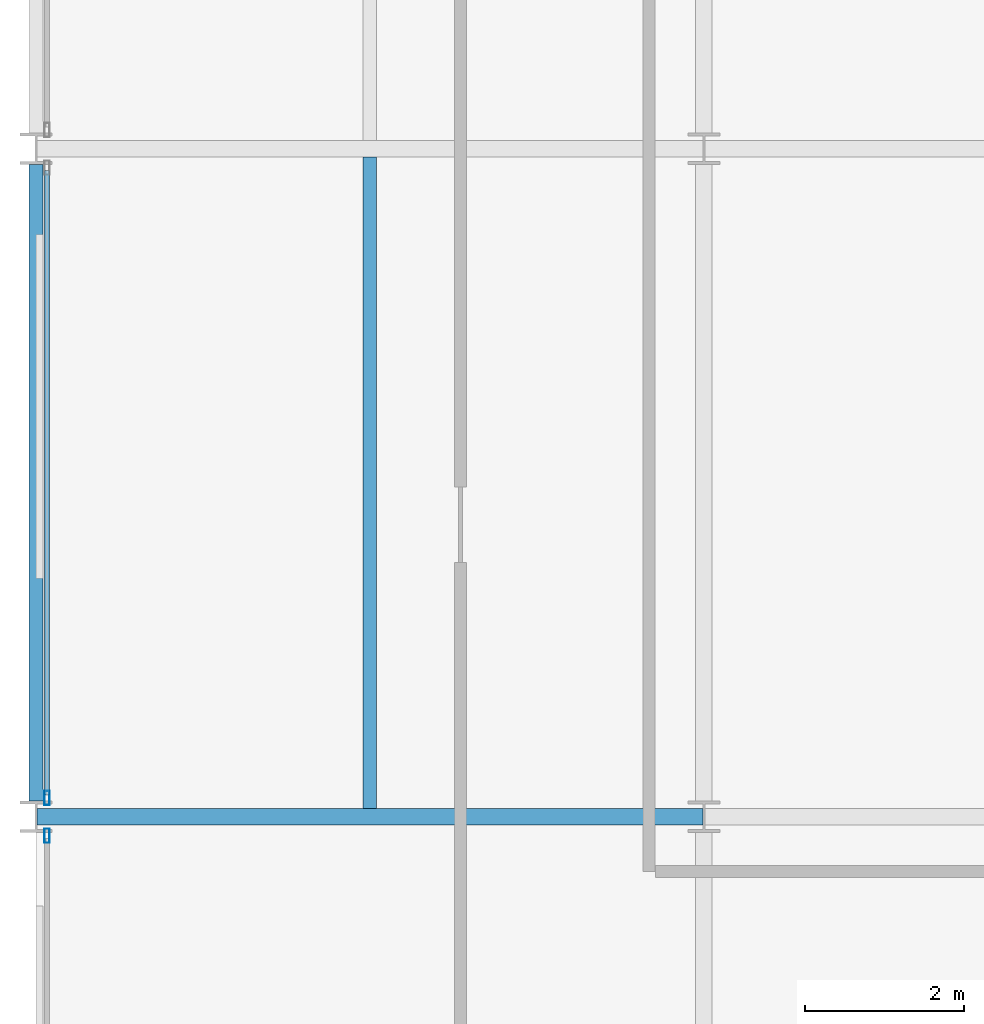
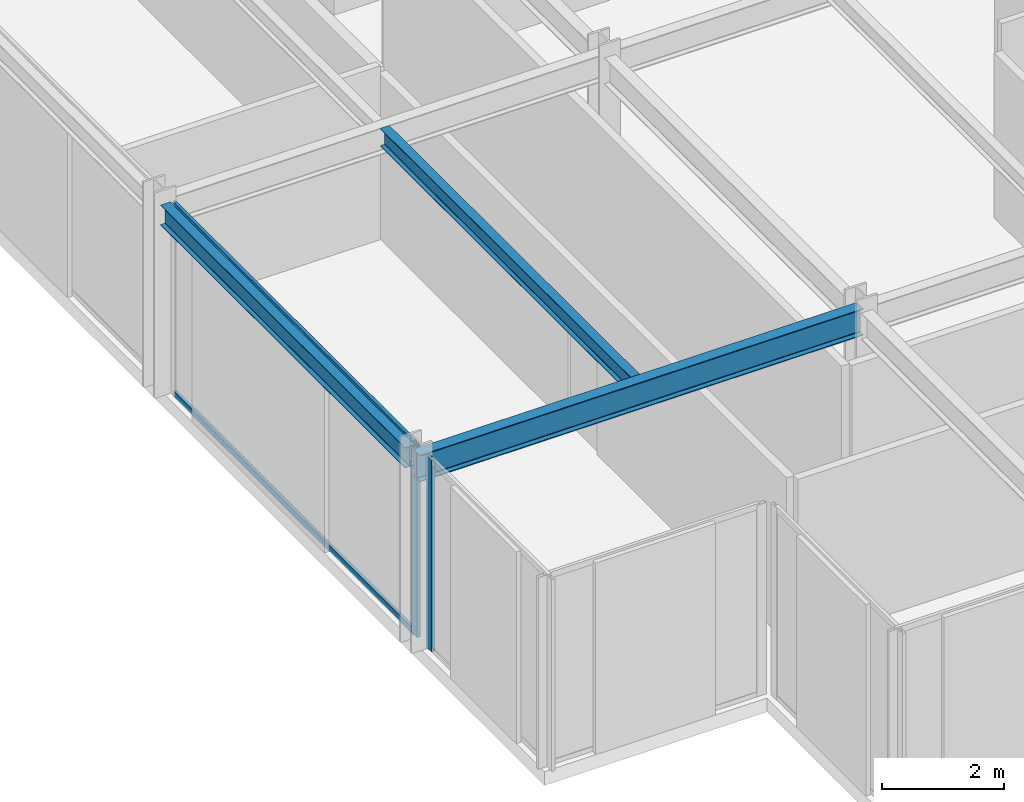
# One storey, part 4 of 29: 4 members, 3 beams, 2 elements without a shape of their own.
"""IFC4 building model written with IfcOpenShell, lengths in metres."""

from ifc_helpers import new_model, si_unit, direction, frame, origin, origin_2d, place, context, subcontext, project, spatial, hollow_rectangle, i_section, extrude, material, layer, layer_set, material_profile, profile_set, type_object, element, aggregate, save


model = new_model("IFC4")

# Units and contexts
model_context = context("Model", 3, precision=1e-05, world=origin(), true_north=direction((0.0, 1.0)))
body_context = subcontext(model_context, "Body", "Model", "MODEL_VIEW")
ifc_project = project(units=[si_unit("LENGTHUNIT", "METRE"), si_unit("AREAUNIT", "SQUARE_METRE"), si_unit("VOLUMEUNIT", "CUBIC_METRE"), si_unit("PLANEANGLEUNIT", "RADIAN"), si_unit("MASSUNIT", "GRAM", prefix="KILO")], contexts=[model_context])

# Site, building, storey
site_placement = place(None, origin())
site = spatial("IfcSite", under=ifc_project, at=site_placement, CompositionType="ELEMENT")
building_placement = place(site_placement, origin())
building = spatial("IfcBuilding", under=site, at=building_placement, Name="Nerrivon Quay Data Exchange", CompositionType="ELEMENT")
storey_placement = place(building_placement, frame((0.0, 0.0, 125.39990234375)))
storey = spatial("IfcBuildingStorey", under=building, at=storey_placement, Name="L29", CompositionType="ELEMENT", Elevation=125.39990234375)

# Beams
ifc_material_1 = material(Name="Steel Grade 350", Category="steel")
ifc_material_profile_1 = material_profile(ifc_material_1, i_section(OverallWidth=0.208984375, OverallDepth=0.532958984375, WebThickness=0.01025390625, FlangeThickness=0.015625, FilletRadius=0.013916015625, at=origin_2d()), Name="530UB92.4")
ifc_profile_set_1 = profile_set([ifc_material_profile_1], Name="Steel Grade 350")
beam_type_1 = type_object("IfcBeamType", Name="BM-G3-530UB92", PredefinedType="BEAM", material=ifc_profile_set_1)
beam_1_placement = place(storey_placement, frame((0.012451171875, 8.39990234375, 3.55859375), z_axis=(1.0, 0.0, 0.0), x_axis=(0.0, 1.0, 0.0)))
element("IfcBeam", 1, at=beam_1_placement, inside=storey, type_object=beam_type_1, Name="L29 EW Girder Y=8.4 (0.0..8.4)", PredefinedType="BEAM", context=body_context, shape_type="SweptSolid", body=[
    extrude(i_section(OverallWidth=0.208984375, OverallDepth=0.532958984375, WebThickness=0.01025390625, FlangeThickness=0.015625, FilletRadius=0.013916015625, at=origin_2d()), origin(), (0.0, 0.0, 1.0), 8.375),
])
ifc_material_profile_2 = material_profile(ifc_material_1, i_section(OverallWidth=0.1708984375, OverallDepth=0.35595703125, WebThickness=0.00732421875, FlangeThickness=0.011474609375, FilletRadius=0.011474609375, at=origin_2d()), Name="360UB50.7")
ifc_profile_set_2 = profile_set([ifc_material_profile_2], Name="Steel Grade 350")
beam_type_2 = type_object("IfcBeamType", Name="BM-J4-360UB51", PredefinedType="JOIST", material=ifc_profile_set_2)
beam_2_placement = place(storey_placement, frame((4.199951171875, 8.50439453125, 3.647216796875), z_axis=(0.0, 1.0, 0.0), x_axis=(-1.0, 0.0, 0.0)))
element("IfcBeam", 2, at=beam_2_placement, inside=storey, type_object=beam_type_2, Name="L29 Secondary Joist X=4.2 (8.4..16.8)", PredefinedType="JOIST", context=body_context, shape_type="SweptSolid", body=[
    extrude(i_section(OverallWidth=0.1708984375, OverallDepth=0.35595703125, WebThickness=0.00732421875, FlangeThickness=0.011474609375, FilletRadius=0.011474609375, at=origin_2d()), origin(), (0.0, 0.0, 1.0), 8.191162109375),
])
ifc_material_profile_3 = material_profile(ifc_material_1, i_section(OverallWidth=0.177978515625, OverallDepth=0.403076171875, WebThickness=0.007568359375, FlangeThickness=0.010986328125, FilletRadius=0.011474609375, at=origin_2d()), Name="410UB53.7")
ifc_profile_set_3 = profile_set([ifc_material_profile_3], Name="Steel Grade 350")
beam_type_3 = type_object("IfcBeamType", Name="BM-SP2-410UB54", PredefinedType="SPANDREL", material=ifc_profile_set_3)
beam_3_placement = place(storey_placement, frame((0.0, 8.60009765625, 3.62353515625), z_axis=(0.0, 1.0, 0.0), x_axis=(-1.0, 0.0, 0.0)))
element("IfcBeam", 3, at=beam_3_placement, inside=storey, type_object=beam_type_3, Name="L29 NS Girder X=0.0 (8.4..16.8)", PredefinedType="SPANDREL", context=body_context, shape_type="SweptSolid", body=[
    extrude(i_section(OverallWidth=0.177978515625, OverallDepth=0.403076171875, WebThickness=0.007568359375, FlangeThickness=0.010986328125, FilletRadius=0.011474609375, at=origin_2d()), origin(), (0.0, 0.0, 1.0), 8.0),
])

# Curtain wall, member
ifc_material_2 = material(Name="Anodised aluminium 6063-T6", Category="aluminium")
ifc_layer = layer(ifc_material_2, 0.2099609375)
ifc_layer_set = layer_set([ifc_layer], Name="Anodised aluminium 6063-T6")
curtain_wall_type = type_object("IfcCurtainWallType", Name="CW-SYS-02", PredefinedType="NOTDEFINED", material=ifc_layer_set)
curtain_wall_1_placement = place(storey_placement, origin())
curtain_wall_1 = element("IfcCurtainWall", 4, at=curtain_wall_1_placement, inside=storey, type_object=curtain_wall_type, Name="L29 Unitised Curtain Wall 11", PredefinedType="NOTDEFINED")
ifc_material_profile_4 = material_profile(ifc_material_2, hollow_rectangle(XDim=0.06494140625, YDim=0.179931640625, WallThickness=0.00341796875, at=origin_2d()), Name="ALU-MULL-180x65")
ifc_profile_set_4 = profile_set([ifc_material_profile_4], Name="Anodised aluminium 6063-T6")
member_type_1 = type_object("IfcMemberType", Name="CWM-180x65", PredefinedType="MULLION", material=ifc_profile_set_4)
member_1_placement = place(storey_placement, frame((0.139892578125, 8.16259765625, 0.0), z_axis=(0.0, 0.0, 1.0), x_axis=(-1.0, 0.0, 0.0)))
member_1 = element("IfcMember", 5, at=member_1_placement, type_object=member_type_1, Name="CW02 mullion 2", PredefinedType="MULLION", context=body_context, shape_type="SweptSolid", body=[
    extrude(hollow_rectangle(XDim=0.06494140625, YDim=0.179931640625, WallThickness=0.00341796875, at=origin_2d()), origin(), (0.0, 0.0, 1.0), 3.8251953125),
])
aggregate(curtain_wall_1, [member_1])

# Curtain wall, members
curtain_wall_2_placement = place(storey_placement, origin())
curtain_wall_2 = element("IfcCurtainWall", 6, at=curtain_wall_2_placement, inside=storey, type_object=curtain_wall_type, Name="L29 Unitised Curtain Wall 12", PredefinedType="NOTDEFINED")
member_2_placement = place(storey_placement, frame((0.139892578125, 8.637451171875, 0.0), z_axis=(0.0, 0.0, 1.0), x_axis=(-1.0, 0.0, 0.0)))
member_2 = element("IfcMember", 7, at=member_2_placement, type_object=member_type_1, Name="CW02 mullion 1", PredefinedType="MULLION", context=body_context, shape_type="SweptSolid", body=[
    extrude(hollow_rectangle(XDim=0.06494140625, YDim=0.179931640625, WallThickness=0.00341796875, at=origin_2d()), origin(), (0.0, 0.0, 1.0), 3.8251953125),
])
ifc_material_profile_5 = material_profile(ifc_material_2, hollow_rectangle(XDim=0.06005859375, YDim=0.1201171875, WallThickness=0.003173828125, at=origin_2d()), Name="ALU-TRAN-120x60")
ifc_profile_set_5 = profile_set([ifc_material_profile_5], Name="Anodised aluminium 6063-T6")
member_type_2 = type_object("IfcMemberType", Name="CWT-120x60", PredefinedType="USERDEFINED", material=ifc_profile_set_5)
member_3_placement = place(storey_placement, frame((0.139892578125, 8.675048828125, 0.03271484375), z_axis=(0.0, 1.0, 0.0), x_axis=(-1.0, 0.0, 0.0)))
member_3 = element("IfcMember", 8, at=member_3_placement, type_object=member_type_2, Name="CW02 transom 1.1", ObjectType="TRANSOM", PredefinedType="USERDEFINED", context=body_context, shape_type="SweptSolid", body=[
    extrude(hollow_rectangle(XDim=0.06005859375, YDim=0.1201171875, WallThickness=0.003173828125, at=origin_2d()), origin(), (0.0, 0.0, 1.0), 7.849853515625),
])
member_4_placement = place(storey_placement, frame((0.139892578125, 8.675048828125, 3.79248046875), z_axis=(0.0, 1.0, 0.0), x_axis=(-1.0, 0.0, 0.0)))
member_4 = element("IfcMember", 9, at=member_4_placement, type_object=member_type_2, Name="CW02 transom 1.2", ObjectType="TRANSOM", PredefinedType="USERDEFINED", context=body_context, shape_type="SweptSolid", body=[
    extrude(hollow_rectangle(XDim=0.06005859375, YDim=0.1201171875, WallThickness=0.003173828125, at=origin_2d()), origin(), (0.0, 0.0, 1.0), 7.849853515625),
])
aggregate(curtain_wall_2, [member_2, member_3, member_4])

save(model, "model.ifc")
